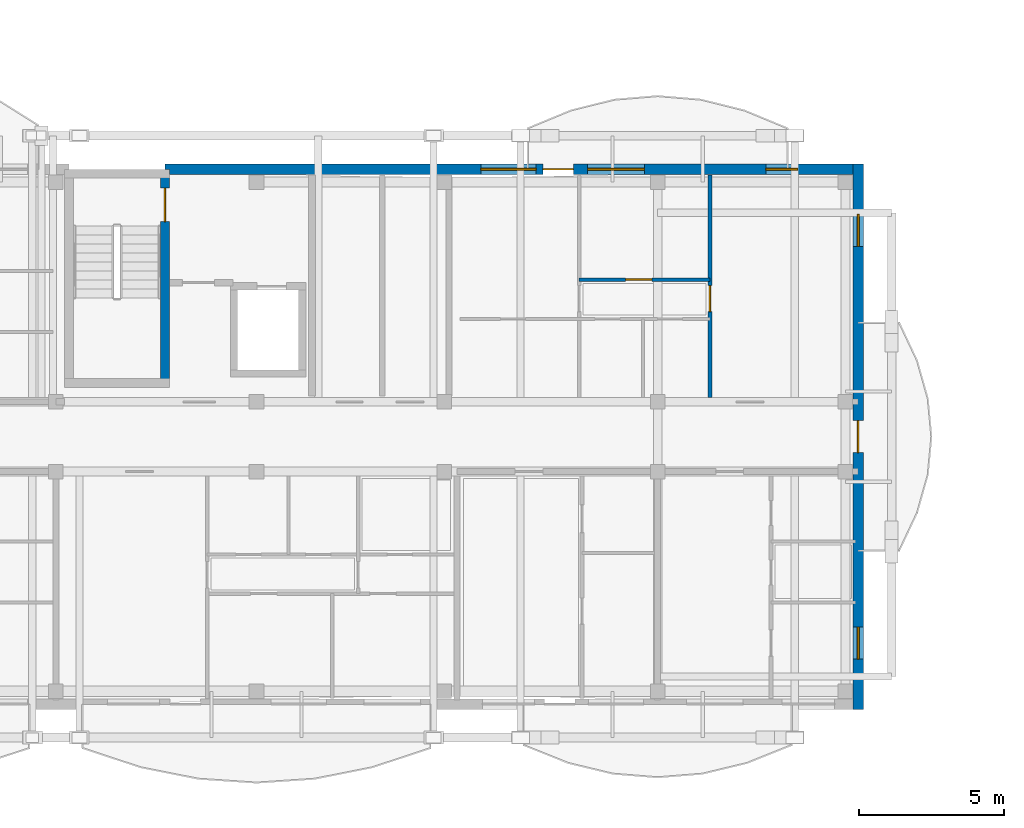
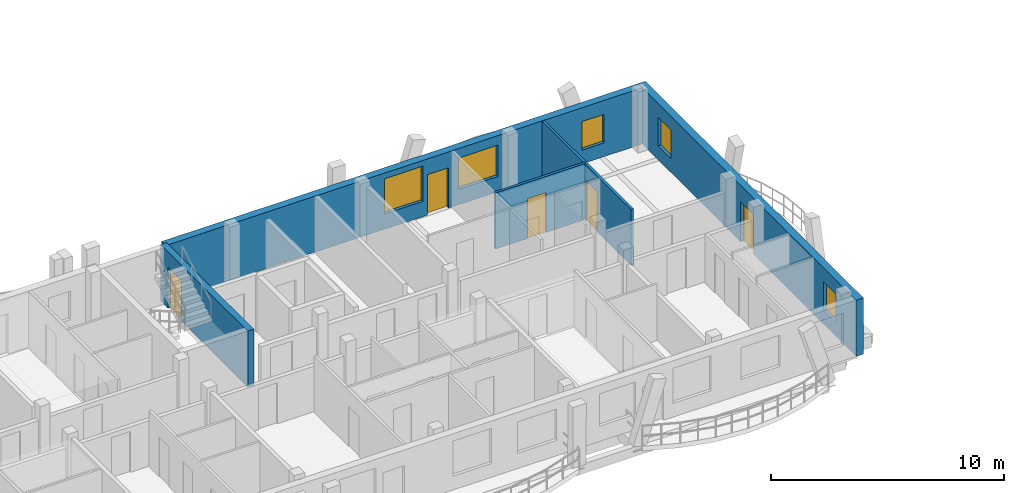
# One storey, part 18 of 44: 5 doors, 5 walls, 5 windows, 10 openings.
"""IFC4 building model written with IfcOpenShell, lengths in metres."""

from ifc_helpers import new_model, si_unit, direction, frame, frame_2d, origin, origin_with_axes, place, context, subcontext, project, spatial, rectangle, extrude, material, layer, layer_set, type_object, element, fill, save


model = new_model("IFC4")

# Units and contexts
model_context = context("Model", 3, precision=1e-05, world=origin(), true_north=direction((0.0, 1.0)))
body_context = subcontext(model_context, "Body", "Model", "MODEL_VIEW")
ifc_project = project(units=[si_unit("LENGTHUNIT", "METRE"), si_unit("AREAUNIT", "SQUARE_METRE"), si_unit("VOLUMEUNIT", "CUBIC_METRE"), si_unit("PLANEANGLEUNIT", "RADIAN"), si_unit("MASSUNIT", "GRAM", prefix="KILO")], contexts=[model_context])

# Site, building, storey
site_placement = place(None, origin())
site = spatial("IfcSite", under=ifc_project, at=site_placement, CompositionType="ELEMENT")
building_placement = place(site_placement, origin())
building = spatial("IfcBuilding", under=site, at=building_placement, Name="Zavelmont Quarter", CompositionType="ELEMENT")
storey_placement = place(building_placement, frame((0.0, 0.0, 20.800048828125)))
storey = spatial("IfcBuildingStorey", under=building, at=storey_placement, Name="L06", CompositionType="ELEMENT", Elevation=20.800048828125)

# Wall, openings, door, windows
ifc_material_1 = material(Name="Natural Belgian limestone", Category="masonry")
ifc_layer_1 = layer(ifc_material_1, 0.360107421875)
ifc_layer_set_1 = layer_set([ifc_layer_1], Name="Natural Belgian limestone")
wall_type_1 = type_object("IfcWallType", Name="EW02", PredefinedType="STANDARD", material=ifc_layer_set_1)
wall_1_placement = place(storey_placement, frame((31.35009765625, 18.39990234375, 0.0), z_axis=(0.0, 0.0, 1.0), x_axis=(1.0, 0.0, 0.0)))
wall_1 = element("IfcWall", 1, at=wall_1_placement, inside=storey, type_object=wall_type_1, Name="L06 exterior limestone wall EW02", PredefinedType="STANDARD", context=body_context, shape_type="SweptSolid", body=[
    extrude(rectangle(XDim=23.679931640625, YDim=0.360107421875, at=frame_2d((11.83984375, 0.0))), origin(), (0.0, 0.0, 1.0), 2.949951171875),
])
opening_1_placement = place(wall_1_placement, frame((12.99853515625, 0.0, 0.0)))
opening_1 = element("IfcOpeningElement", 2, at=opening_1_placement, cuts=wall_1, Name="Opening DR04A", PredefinedType="OPENING", context=body_context, shape_type="SweptSolid", body=[
    extrude(rectangle(XDim=1.050048828125, YDim=2.1201171875, at=frame_2d((0.52490234375, 1.06005859375))), frame((0.0, 0.19189453125, 0.0), z_axis=(0.0, -1.0, 0.0), x_axis=(1.0, 0.0, 0.0)), (0.0, 0.0, 1.0), 0.384033203125),
])
opening_2_placement = place(wall_1_placement, frame((10.8701171875, 0.0, 0.800048828125)))
opening_2 = element("IfcOpeningElement", 3, at=opening_2_placement, cuts=wall_1, Name="Opening WN20", PredefinedType="OPENING", context=body_context, shape_type="SweptSolid", body=[
    extrude(rectangle(XDim=1.89990234375, YDim=1.85009765625, at=frame_2d((0.949951171875, 0.925048828125))), frame((0.0, 0.19189453125, 0.0), z_axis=(0.0, -1.0, 0.0), x_axis=(1.0, 0.0, 0.0)), (0.0, 0.0, 1.0), 0.384033203125),
])
opening_3_placement = place(wall_1_placement, frame((14.544921875, 0.0, 0.800048828125)))
opening_3 = element("IfcOpeningElement", 4, at=opening_3_placement, cuts=wall_1, Name="Opening WN24", PredefinedType="OPENING", context=body_context, shape_type="SweptSolid", body=[
    extrude(rectangle(XDim=1.949951171875, YDim=1.64990234375, at=frame_2d((0.97509765625, 0.824951171875))), frame((0.0, 0.19189453125, 0.0), z_axis=(0.0, -1.0, 0.0), x_axis=(1.0, 0.0, 0.0)), (0.0, 0.0, 1.0), 0.384033203125),
])
opening_4_placement = place(wall_1_placement, frame((20.669921875, 0.0, 0.719970703125)))
opening_4 = element("IfcOpeningElement", 5, at=opening_4_placement, cuts=wall_1, Name="Opening WN09", PredefinedType="OPENING", context=body_context, shape_type="SweptSolid", body=[
    extrude(rectangle(XDim=1.10009765625, YDim=1.5, at=frame_2d((0.550048828125, 0.75))), frame((0.0, 0.19189453125, 0.0), z_axis=(0.0, -1.0, 0.0), x_axis=(1.0, 0.0, 0.0)), (0.0, 0.0, 1.0), 0.384033203125),
])
ifc_material_2 = material(Name="Thermally broken aluminium and double safety glass", Category="aluminium")
door_type_1 = type_object("IfcDoorType", Name="DR04A", OperationType="NOTDEFINED", PredefinedType="DOOR", material=ifc_material_2)
door_1_placement = place(opening_1_placement, frame((1.050048828125, 0.0, 0.0), z_axis=(0.0, 0.0, 1.0), x_axis=(-1.0, 0.0, 0.0)))
door_1 = element("IfcDoor", 6, at=door_1_placement, inside=storey, type_object=door_type_1, Name="Block A L06 glazed balcony door", OperationType="SINGLE_SWING_LEFT", OverallHeight=2.1201171875, OverallWidth=1.050048828125, PredefinedType="DOOR", context=body_context, shape_type="SweptSolid", body=[
    extrude(rectangle(XDim=1.050048828125, YDim=2.1201171875, at=frame_2d((0.52490234375, 1.06005859375))), frame((0.0, 0.02490234375, 0.0), z_axis=(0.0, -1.0, 0.0), x_axis=(1.0, 0.0, 0.0)), (0.0, 0.0, 1.0), 0.050048828125),
])
fill(opening_1, door_1)
ifc_material_3 = material(Name="Double low-E insulated glazing in thermally broken aluminium frame", Category="aluminium")
window_type_1 = type_object("IfcWindowType", Name="WN09", PartitioningType="SINGLE_PANEL", PredefinedType="WINDOW", material=ifc_material_3)
window_1_placement = place(opening_4_placement, origin_with_axes())
window_1 = element("IfcWindow", 7, at=window_1_placement, inside=storey, type_object=window_type_1, Name="L06 window WN09", OverallHeight=1.5, OverallWidth=1.10009765625, PartitioningType="SINGLE_PANEL", PredefinedType="WINDOW", context=body_context, shape_type="SweptSolid", body=[
    extrude(rectangle(XDim=1.10009765625, YDim=1.5, at=frame_2d((0.550048828125, 0.75))), frame((0.0, 0.030029296875, 0.0), z_axis=(0.0, -1.0, 0.0), x_axis=(1.0, 0.0, 0.0)), (0.0, 0.0, 1.0), 0.06005859375),
])
fill(opening_4, window_1)
window_type_2 = type_object("IfcWindowType", Name="WN20", PartitioningType="SINGLE_PANEL", PredefinedType="WINDOW", material=ifc_material_3)
window_2_placement = place(opening_2_placement, origin_with_axes())
window_2 = element("IfcWindow", 8, at=window_2_placement, inside=storey, type_object=window_type_2, Name="L06 window WN20", OverallHeight=1.85009765625, OverallWidth=1.89990234375, PartitioningType="SINGLE_PANEL", PredefinedType="WINDOW", context=body_context, shape_type="SweptSolid", body=[
    extrude(rectangle(XDim=1.89990234375, YDim=1.85009765625, at=frame_2d((0.949951171875, 0.925048828125))), frame((0.0, 0.030029296875, 0.0), z_axis=(0.0, -1.0, 0.0), x_axis=(1.0, 0.0, 0.0)), (0.0, 0.0, 1.0), 0.06005859375),
])
fill(opening_2, window_2)
window_type_3 = type_object("IfcWindowType", Name="WN24", PartitioningType="SINGLE_PANEL", PredefinedType="WINDOW", material=ifc_material_3)
window_3_placement = place(opening_3_placement, origin_with_axes())
window_3 = element("IfcWindow", 9, at=window_3_placement, inside=storey, type_object=window_type_3, Name="L06 window WN24", OverallHeight=1.64990234375, OverallWidth=1.949951171875, PartitioningType="SINGLE_PANEL", PredefinedType="WINDOW", context=body_context, shape_type="SweptSolid", body=[
    extrude(rectangle(XDim=1.949951171875, YDim=1.64990234375, at=frame_2d((0.97509765625, 0.824951171875))), frame((0.0, 0.030029296875, 0.0), z_axis=(0.0, -1.0, 0.0), x_axis=(1.0, 0.0, 0.0)), (0.0, 0.0, 1.0), 0.06005859375),
])
fill(opening_3, window_3)

wall_2_placement = place(storey_placement, frame((55.199951171875, -0.179931640625, 0.0), z_axis=(0.0, 0.0, 1.0), x_axis=(0.0, 1.0, 0.0)))
wall_2 = element("IfcWall", 10, at=wall_2_placement, inside=storey, type_object=wall_type_1, Name="L06 exterior limestone wall EW02", PredefinedType="STANDARD", context=body_context, shape_type="SweptSolid", body=[
    extrude(rectangle(XDim=18.760009765625, YDim=0.360107421875, at=frame_2d((9.3798828125, 0.0))), origin(), (0.0, 0.0, 1.0), 2.949951171875),
])
opening_5_placement = place(wall_2_placement, frame((8.830078125, 0.0, 0.0)))
opening_5 = element("IfcOpeningElement", 11, at=opening_5_placement, cuts=wall_2, Name="Opening DR04B", PredefinedType="OPENING", context=body_context, shape_type="SweptSolid", body=[
    extrude(rectangle(XDim=1.10009765625, YDim=2.10009765625, at=frame_2d((0.550048828125, 1.050048828125))), frame((0.0, 0.19189453125, 0.0), z_axis=(0.0, -1.0, 0.0), x_axis=(1.0, 0.0, 0.0)), (0.0, 0.0, 1.0), 0.384033203125),
])
opening_6_placement = place(wall_2_placement, frame((1.72998046875, 0.0, 0.719970703125)))
opening_6 = element("IfcOpeningElement", 12, at=opening_6_placement, cuts=wall_2, Name="Opening WN09", PredefinedType="OPENING", context=body_context, shape_type="SweptSolid", body=[
    extrude(rectangle(XDim=1.10009765625, YDim=1.5, at=frame_2d((0.550048828125, 0.75))), frame((0.0, 0.19189453125, 0.0), z_axis=(0.0, -1.0, 0.0), x_axis=(1.0, 0.0, 0.0)), (0.0, 0.0, 1.0), 0.384033203125),
])
opening_7_placement = place(wall_2_placement, frame((15.929931640625, 0.0, 0.719970703125)))
opening_7 = element("IfcOpeningElement", 13, at=opening_7_placement, cuts=wall_2, Name="Opening WN09", PredefinedType="OPENING", context=body_context, shape_type="SweptSolid", body=[
    extrude(rectangle(XDim=1.10009765625, YDim=1.5, at=frame_2d((0.550048828125, 0.75))), frame((0.0, 0.19189453125, 0.0), z_axis=(0.0, -1.0, 0.0), x_axis=(1.0, 0.0, 0.0)), (0.0, 0.0, 1.0), 0.384033203125),
])
door_type_2 = type_object("IfcDoorType", Name="DR04B", OperationType="NOTDEFINED", PredefinedType="DOOR", material=ifc_material_2)
door_2_placement = place(opening_5_placement, origin_with_axes())
door_2 = element("IfcDoor", 14, at=door_2_placement, inside=storey, type_object=door_type_2, Name="Block A L06 terrace or vase balcony door", OperationType="SINGLE_SWING_LEFT", OverallHeight=2.10009765625, OverallWidth=1.10009765625, PredefinedType="DOOR", context=body_context, shape_type="SweptSolid", body=[
    extrude(rectangle(XDim=1.10009765625, YDim=2.10009765625, at=frame_2d((0.550048828125, 1.050048828125))), frame((0.0, 0.02490234375, 0.0), z_axis=(0.0, -1.0, 0.0), x_axis=(1.0, 0.0, 0.0)), (0.0, 0.0, 1.0), 0.050048828125),
])
fill(opening_5, door_2)
window_4_placement = place(opening_6_placement, origin_with_axes())
window_4 = element("IfcWindow", 15, at=window_4_placement, inside=storey, type_object=window_type_1, Name="L06 window WN09", OverallHeight=1.5, OverallWidth=1.10009765625, PartitioningType="SINGLE_PANEL", PredefinedType="WINDOW", context=body_context, shape_type="SweptSolid", body=[
    extrude(rectangle(XDim=1.10009765625, YDim=1.5, at=frame_2d((0.550048828125, 0.75))), frame((0.0, 0.030029296875, 0.0), z_axis=(0.0, -1.0, 0.0), x_axis=(1.0, 0.0, 0.0)), (0.0, 0.0, 1.0), 0.06005859375),
])
fill(opening_6, window_4)
window_5_placement = place(opening_7_placement, origin_with_axes())
window_5 = element("IfcWindow", 16, at=window_5_placement, inside=storey, type_object=window_type_1, Name="L06 window WN09", OverallHeight=1.5, OverallWidth=1.10009765625, PartitioningType="SINGLE_PANEL", PredefinedType="WINDOW", context=body_context, shape_type="SweptSolid", body=[
    extrude(rectangle(XDim=1.10009765625, YDim=1.5, at=frame_2d((0.550048828125, 0.75))), frame((0.0, 0.030029296875, 0.0), z_axis=(0.0, -1.0, 0.0), x_axis=(1.0, 0.0, 0.0)), (0.0, 0.0, 1.0), 0.06005859375),
])
fill(opening_7, window_5)

# Wall, opening, door
ifc_material_4 = material(Name="Double gypsum board on acoustic steel stud", Category="steel")
ifc_layer_2 = layer(ifc_material_4, 0.125)
ifc_layer_set_2 = layer_set([ifc_layer_2], Name="Double gypsum board on acoustic steel stud")
wall_type_2 = type_object("IfcWallType", Name="IW03", PredefinedType="PARTITIONING", material=ifc_layer_set_2)
wall_3_placement = place(storey_placement, frame((50.10009765625, 10.550048828125, 0.0), z_axis=(0.0, 0.0, 1.0), x_axis=(0.0, 1.0, 0.0)))
wall_3 = element("IfcWall", 17, at=wall_3_placement, inside=storey, type_object=wall_type_2, Name="L06 Partition IW03", PredefinedType="PARTITIONING", context=body_context, shape_type="SweptSolid", body=[
    extrude(rectangle(XDim=7.64990234375, YDim=0.125, at=frame_2d((3.824951171875, 0.0))), origin(), (0.0, 0.0, 1.0), 2.949951171875),
])
opening_8_placement = place(wall_3_placement, frame((2.949951171875, 0.0, 0.0)))
opening_8 = element("IfcOpeningElement", 18, at=opening_8_placement, cuts=wall_3, Name="Opening DR05", PredefinedType="OPENING", context=body_context, shape_type="SweptSolid", body=[
    extrude(rectangle(XDim=0.89990234375, YDim=2.10009765625, at=frame_2d((0.449951171875, 1.050048828125))), frame((0.0, 0.074462890625, 0.0), z_axis=(0.0, -1.0, 0.0), x_axis=(1.0, 0.0, 0.0)), (0.0, 0.0, 1.0), 0.14892578125),
])
ifc_material_5 = material(Name="Engineered oak flush interior door")
door_type_3 = type_object("IfcDoorType", Name="DR05", OperationType="NOTDEFINED", PredefinedType="DOOR", material=ifc_material_5)
door_3_placement = place(opening_8_placement, origin_with_axes())
door_3 = element("IfcDoor", 19, at=door_3_placement, inside=storey, type_object=door_type_3, Name="L06 door DR05", OperationType="SINGLE_SWING_LEFT", OverallHeight=2.10009765625, OverallWidth=0.89990234375, PredefinedType="DOOR", context=body_context, shape_type="SweptSolid", body=[
    extrude(rectangle(XDim=0.89990234375, YDim=2.10009765625, at=frame_2d((0.449951171875, 1.050048828125))), frame((0.0, 0.02490234375, 0.0), z_axis=(0.0, -1.0, 0.0), x_axis=(1.0, 0.0, 0.0)), (0.0, 0.0, 1.0), 0.050048828125),
])
fill(opening_8, door_3)

wall_4_placement = place(storey_placement, frame((45.60009765625, 14.60009765625, 0.0), z_axis=(0.0, 0.0, 1.0), x_axis=(1.0, 0.0, 0.0)))
wall_4 = element("IfcWall", 20, at=wall_4_placement, inside=storey, type_object=wall_type_2, Name="L06 Partition IW03", PredefinedType="PARTITIONING", context=body_context, shape_type="SweptSolid", body=[
    extrude(rectangle(XDim=4.5, YDim=0.125, at=frame_2d((2.25, 0.0))), origin(), (0.0, 0.0, 1.0), 2.949951171875),
])
opening_9_placement = place(wall_4_placement, frame((1.60009765625, 0.0, 0.0)))
opening_9 = element("IfcOpeningElement", 21, at=opening_9_placement, cuts=wall_4, Name="Opening DR05", PredefinedType="OPENING", context=body_context, shape_type="SweptSolid", body=[
    extrude(rectangle(XDim=0.89990234375, YDim=2.10009765625, at=frame_2d((0.449951171875, 1.050048828125))), frame((0.0, 0.074462890625, 0.0), z_axis=(0.0, -1.0, 0.0), x_axis=(1.0, 0.0, 0.0)), (0.0, 0.0, 1.0), 0.14892578125),
])
door_4_placement = place(opening_9_placement, frame((0.89990234375, 0.0, 0.0), z_axis=(0.0, 0.0, 1.0), x_axis=(-1.0, 0.0, 0.0)))
door_4 = element("IfcDoor", 22, at=door_4_placement, inside=storey, type_object=door_type_3, Name="L06 door DR05", OperationType="SINGLE_SWING_RIGHT", OverallHeight=2.10009765625, OverallWidth=0.89990234375, PredefinedType="DOOR", context=body_context, shape_type="SweptSolid", body=[
    extrude(rectangle(XDim=0.89990234375, YDim=2.10009765625, at=frame_2d((0.449951171875, 1.050048828125))), frame((0.0, 0.02490234375, 0.0), z_axis=(0.0, -1.0, 0.0), x_axis=(1.0, 0.0, 0.0)), (0.0, 0.0, 1.0), 0.050048828125),
])
fill(opening_9, door_4)

ifc_material_6 = material(Name="Concrete C40/50", Category="concrete")
ifc_layer_3 = layer(ifc_material_6, 0.300048828125)
ifc_layer_set_3 = layer_set([ifc_layer_3], Name="Concrete C40/50")
wall_type_3 = type_object("IfcWallType", Name="SW01", PredefinedType="SHEAR", material=ifc_layer_set_3)
wall_5_placement = place(storey_placement, frame((31.35009765625, 10.89990234375, 0.0), z_axis=(0.0, 0.0, 1.0), x_axis=(0.0, 1.0, 0.0)))
wall_5 = element("IfcWall", 23, at=wall_5_placement, inside=storey, type_object=wall_type_3, Name="L06 ST02 lobby shear wall SW01", PredefinedType="SHEAR", context=body_context, shape_type="SweptSolid", body=[
    extrude(rectangle(XDim=7.5, YDim=0.300048828125, at=frame_2d((3.75, 0.0))), origin(), (0.0, 0.0, 1.0), 2.949951171875),
])
opening_10_placement = place(wall_5_placement, frame((5.699951171875, 0.0, 0.0)))
opening_10 = element("IfcOpeningElement", 24, at=opening_10_placement, cuts=wall_5, Name="Opening DR09", PredefinedType="OPENING", context=body_context, shape_type="SweptSolid", body=[
    extrude(rectangle(XDim=1.14990234375, YDim=2.14990234375, at=frame_2d((0.574951171875, 1.074951171875))), frame((0.0, 0.162109375, 0.0), z_axis=(0.0, -1.0, 0.0), x_axis=(1.0, 0.0, 0.0)), (0.0, 0.0, 1.0), 0.323974609375),
])
ifc_material_7 = material(Name="Painted steel stair-core fire door", Category="steel")
door_type_4 = type_object("IfcDoorType", Name="DR09", OperationType="NOTDEFINED", PredefinedType="DOOR", material=ifc_material_7)
door_5_placement = place(opening_10_placement, origin_with_axes())
door_5 = element("IfcDoor", 25, at=door_5_placement, inside=storey, type_object=door_type_4, Name="ST02 protected stair door", OperationType="SINGLE_SWING_LEFT", OverallHeight=2.14990234375, OverallWidth=1.14990234375, PredefinedType="DOOR", context=body_context, shape_type="SweptSolid", body=[
    extrude(rectangle(XDim=1.14990234375, YDim=2.14990234375, at=frame_2d((0.574951171875, 1.074951171875))), frame((0.0, 0.02490234375, 0.0), z_axis=(0.0, -1.0, 0.0), x_axis=(1.0, 0.0, 0.0)), (0.0, 0.0, 1.0), 0.050048828125),
])
fill(opening_10, door_5)

save(model, "model.ifc")
